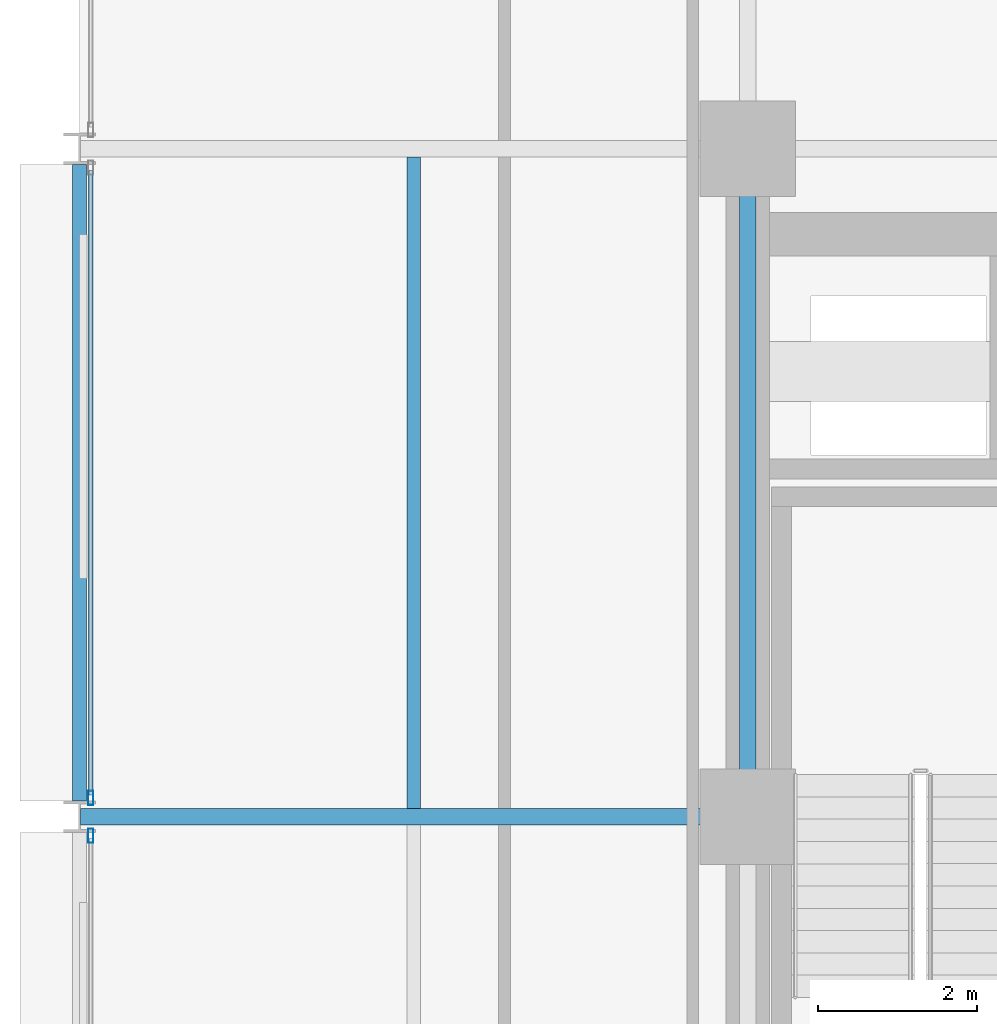
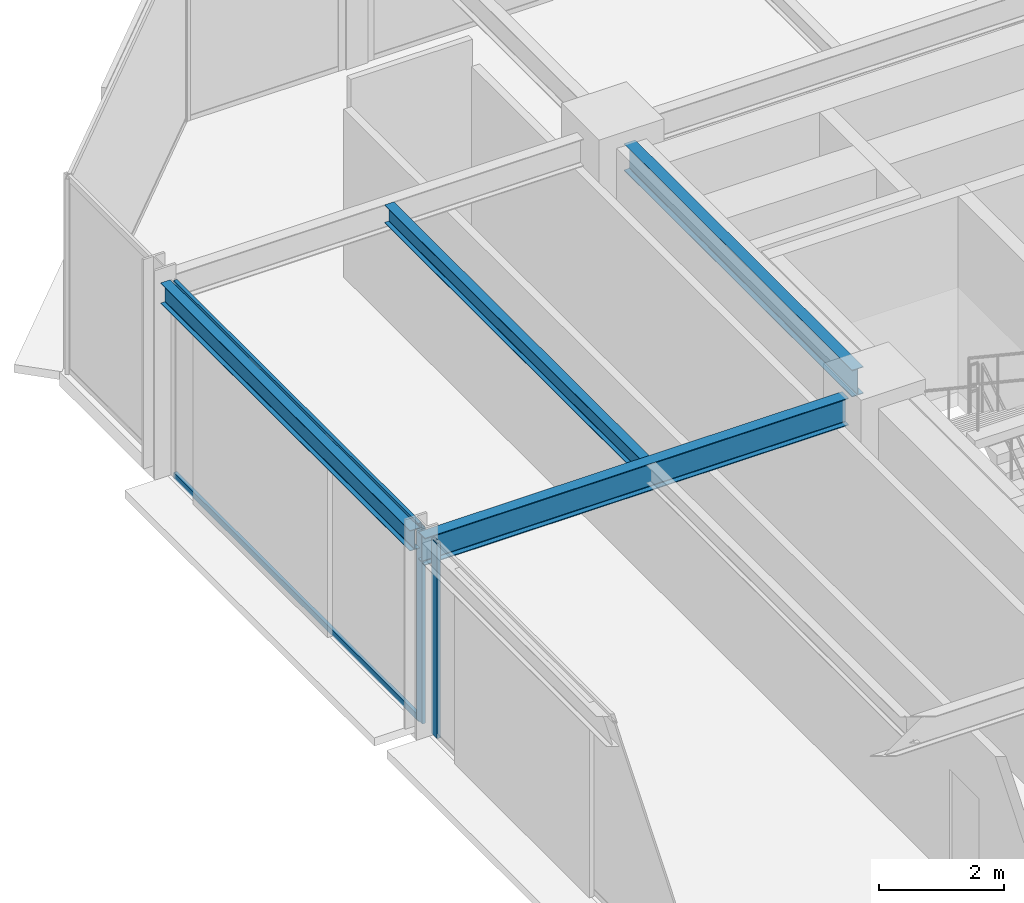
# One storey, part 23 of 39: 4 beams, 4 members, 2 elements without a shape of their own.
"""IFC4 building model written with IfcOpenShell, lengths in metres."""

from ifc_helpers import new_model, si_unit, direction, frame, origin, origin_2d, place, context, subcontext, project, spatial, hollow_rectangle, i_section, extrude, material, layer, layer_set, material_profile, profile_set, type_object, element, aggregate, save


model = new_model("IFC4")

# Units and contexts
model_context = context("Model", 3, precision=1e-05, world=origin(), true_north=direction((0.0, 1.0)))
body_context = subcontext(model_context, "Body", "Model", "MODEL_VIEW")
ifc_project = project(units=[si_unit("LENGTHUNIT", "METRE"), si_unit("AREAUNIT", "SQUARE_METRE"), si_unit("VOLUMEUNIT", "CUBIC_METRE"), si_unit("PLANEANGLEUNIT", "RADIAN"), si_unit("MASSUNIT", "GRAM", prefix="KILO")], contexts=[model_context])

# Site, building, storey
site_placement = place(None, origin())
site = spatial("IfcSite", under=ifc_project, at=site_placement, CompositionType="ELEMENT")
building_placement = place(site_placement, origin())
building = spatial("IfcBuilding", under=site, at=building_placement, Name="Nerrivon Quay Data Exchange", CompositionType="ELEMENT")
storey_placement = place(building_placement, frame((0.0, 0.0, 92.60009765625)))
storey = spatial("IfcBuildingStorey", under=building, at=storey_placement, Name="L21", CompositionType="ELEMENT", Elevation=92.60009765625)

# Beams
ifc_material_1 = material(Name="Steel Grade 350", Category="steel")
ifc_material_profile_1 = material_profile(ifc_material_1, i_section(OverallWidth=0.208984375, OverallDepth=0.532958984375, WebThickness=0.01025390625, FlangeThickness=0.015625, FilletRadius=0.013916015625, at=origin_2d()), Name="530UB92.4")
ifc_profile_set_1 = profile_set([ifc_material_profile_1], Name="Steel Grade 350")
beam_type_1 = type_object("IfcBeamType", Name="BM-G3-530UB92", PredefinedType="BEAM", material=ifc_profile_set_1)
beam_1_placement = place(storey_placement, frame((0.012451171875, 33.60009765625, 3.558349609375), z_axis=(1.0, 0.0, 0.0), x_axis=(0.0, 1.0, 0.0)))
element("IfcBeam", 1, at=beam_1_placement, inside=storey, type_object=beam_type_1, Name="L21 EW Girder Y=33.6 (0.0..8.4)", PredefinedType="BEAM", context=body_context, shape_type="SweptSolid", body=[
    extrude(i_section(OverallWidth=0.208984375, OverallDepth=0.532958984375, WebThickness=0.01025390625, FlangeThickness=0.015625, FilletRadius=0.013916015625, at=origin_2d()), origin(), (0.0, 0.0, 1.0), 7.84765625),
])
ifc_material_profile_2 = material_profile(ifc_material_1, i_section(OverallWidth=0.208984375, OverallDepth=0.528076171875, WebThickness=0.009521484375, FlangeThickness=0.01318359375, FilletRadius=0.013916015625, at=origin_2d()), Name="530UB82.0")
ifc_profile_set_2 = profile_set([ifc_material_profile_2], Name="Steel Grade 350")
beam_type_2 = type_object("IfcBeamType", Name="BM-G4-530UB82", PredefinedType="BEAM", material=ifc_profile_set_2)
beam_2_placement = place(storey_placement, frame((8.39990234375, 34.139892578125, 3.560791015625), z_axis=(0.0, 1.0, 0.0), x_axis=(-1.0, 0.0, 0.0)))
element("IfcBeam", 2, at=beam_2_placement, inside=storey, type_object=beam_type_2, Name="L21 NS Girder X=8.4 (33.6..42.0)", PredefinedType="BEAM", context=body_context, shape_type="SweptSolid", body=[
    extrude(i_section(OverallWidth=0.208984375, OverallDepth=0.528076171875, WebThickness=0.009521484375, FlangeThickness=0.01318359375, FilletRadius=0.013916015625, at=origin_2d()), origin(), (0.0, 0.0, 1.0), 7.320068359375),
])
ifc_material_profile_3 = material_profile(ifc_material_1, i_section(OverallWidth=0.1708984375, OverallDepth=0.35595703125, WebThickness=0.00732421875, FlangeThickness=0.011474609375, FilletRadius=0.011474609375, at=origin_2d()), Name="360UB50.7")
ifc_profile_set_3 = profile_set([ifc_material_profile_3], Name="Steel Grade 350")
beam_type_3 = type_object("IfcBeamType", Name="BM-J4-360UB51", PredefinedType="JOIST", material=ifc_profile_set_3)
beam_3_placement = place(storey_placement, frame((4.199951171875, 33.70458984375, 3.64697265625), z_axis=(0.0, 1.0, 0.0), x_axis=(-1.0, 0.0, 0.0)))
element("IfcBeam", 3, at=beam_3_placement, inside=storey, type_object=beam_type_3, Name="L21 Secondary Joist X=4.2 (33.6..42.0)", PredefinedType="JOIST", context=body_context, shape_type="SweptSolid", body=[
    extrude(i_section(OverallWidth=0.1708984375, OverallDepth=0.35595703125, WebThickness=0.00732421875, FlangeThickness=0.011474609375, FilletRadius=0.011474609375, at=origin_2d()), origin(), (0.0, 0.0, 1.0), 8.19091796875),
])
ifc_material_profile_4 = material_profile(ifc_material_1, i_section(OverallWidth=0.177978515625, OverallDepth=0.403076171875, WebThickness=0.007568359375, FlangeThickness=0.010986328125, FilletRadius=0.011474609375, at=origin_2d()), Name="410UB53.7")
ifc_profile_set_4 = profile_set([ifc_material_profile_4], Name="Steel Grade 350")
beam_type_4 = type_object("IfcBeamType", Name="BM-SP2-410UB54", PredefinedType="SPANDREL", material=ifc_profile_set_4)
beam_4_placement = place(storey_placement, frame((0.0, 33.800048828125, 3.623291015625), z_axis=(0.0, 1.0, 0.0), x_axis=(-1.0, 0.0, 0.0)))
element("IfcBeam", 4, at=beam_4_placement, inside=storey, type_object=beam_type_4, Name="L21 NS Girder X=0.0 (33.6..42.0)", PredefinedType="SPANDREL", context=body_context, shape_type="SweptSolid", body=[
    extrude(i_section(OverallWidth=0.177978515625, OverallDepth=0.403076171875, WebThickness=0.007568359375, FlangeThickness=0.010986328125, FilletRadius=0.011474609375, at=origin_2d()), origin(), (0.0, 0.0, 1.0), 8.0),
])

# Curtain wall, member
ifc_material_2 = material(Name="Anodised aluminium 6063-T6", Category="aluminium")
ifc_layer = layer(ifc_material_2, 0.2099609375)
ifc_layer_set = layer_set([ifc_layer], Name="Anodised aluminium 6063-T6")
curtain_wall_type = type_object("IfcCurtainWallType", Name="CW-SYS-02", PredefinedType="NOTDEFINED", material=ifc_layer_set)
curtain_wall_1_placement = place(storey_placement, origin())
curtain_wall_1 = element("IfcCurtainWall", 5, at=curtain_wall_1_placement, inside=storey, type_object=curtain_wall_type, Name="L21 Unitised Curtain Wall 20", PredefinedType="NOTDEFINED")
ifc_material_profile_5 = material_profile(ifc_material_2, hollow_rectangle(XDim=0.06494140625, YDim=0.179931640625, WallThickness=0.00341796875, at=origin_2d()), Name="ALU-MULL-180x65")
ifc_profile_set_5 = profile_set([ifc_material_profile_5], Name="Anodised aluminium 6063-T6")
member_type_1 = type_object("IfcMemberType", Name="CWM-180x65", PredefinedType="MULLION", material=ifc_profile_set_5)
member_1_placement = place(storey_placement, frame((0.139892578125, 33.362548828125, 0.0), z_axis=(0.0, 0.0, 1.0), x_axis=(-1.0, 0.0, 0.0)))
member_1 = element("IfcMember", 6, at=member_1_placement, type_object=member_type_1, Name="CW02 mullion 2", PredefinedType="MULLION", context=body_context, shape_type="SweptSolid", body=[
    extrude(hollow_rectangle(XDim=0.06494140625, YDim=0.179931640625, WallThickness=0.00341796875, at=origin_2d()), origin(), (0.0, 0.0, 1.0), 3.824951171875),
])
aggregate(curtain_wall_1, [member_1])

# Curtain wall, members
curtain_wall_2_placement = place(storey_placement, origin())
curtain_wall_2 = element("IfcCurtainWall", 7, at=curtain_wall_2_placement, inside=storey, type_object=curtain_wall_type, Name="L21 Unitised Curtain Wall 21", PredefinedType="NOTDEFINED")
member_2_placement = place(storey_placement, frame((0.139892578125, 33.83740234375, 0.0), z_axis=(0.0, 0.0, 1.0), x_axis=(-1.0, 0.0, 0.0)))
member_2 = element("IfcMember", 8, at=member_2_placement, type_object=member_type_1, Name="CW02 mullion 1", PredefinedType="MULLION", context=body_context, shape_type="SweptSolid", body=[
    extrude(hollow_rectangle(XDim=0.06494140625, YDim=0.179931640625, WallThickness=0.00341796875, at=origin_2d()), origin(), (0.0, 0.0, 1.0), 3.824951171875),
])
ifc_material_profile_6 = material_profile(ifc_material_2, hollow_rectangle(XDim=0.06005859375, YDim=0.1201171875, WallThickness=0.003173828125, at=origin_2d()), Name="ALU-TRAN-120x60")
ifc_profile_set_6 = profile_set([ifc_material_profile_6], Name="Anodised aluminium 6063-T6")
member_type_2 = type_object("IfcMemberType", Name="CWT-120x60", PredefinedType="USERDEFINED", material=ifc_profile_set_6)
member_3_placement = place(storey_placement, frame((0.139892578125, 33.875, 0.032470703125), z_axis=(0.0, 1.0, 0.0), x_axis=(-1.0, 0.0, 0.0)))
member_3 = element("IfcMember", 9, at=member_3_placement, type_object=member_type_2, Name="CW02 transom 1.1", ObjectType="TRANSOM", PredefinedType="USERDEFINED", context=body_context, shape_type="SweptSolid", body=[
    extrude(hollow_rectangle(XDim=0.06005859375, YDim=0.1201171875, WallThickness=0.003173828125, at=origin_2d()), origin(), (0.0, 0.0, 1.0), 7.85009765625),
])
member_4_placement = place(storey_placement, frame((0.139892578125, 33.875, 3.79248046875), z_axis=(0.0, 1.0, 0.0), x_axis=(-1.0, 0.0, 0.0)))
member_4 = element("IfcMember", 10, at=member_4_placement, type_object=member_type_2, Name="CW02 transom 1.2", ObjectType="TRANSOM", PredefinedType="USERDEFINED", context=body_context, shape_type="SweptSolid", body=[
    extrude(hollow_rectangle(XDim=0.06005859375, YDim=0.1201171875, WallThickness=0.003173828125, at=origin_2d()), origin(), (0.0, 0.0, 1.0), 7.85009765625),
])
aggregate(curtain_wall_2, [member_2, member_3, member_4])

save(model, "model.ifc")
